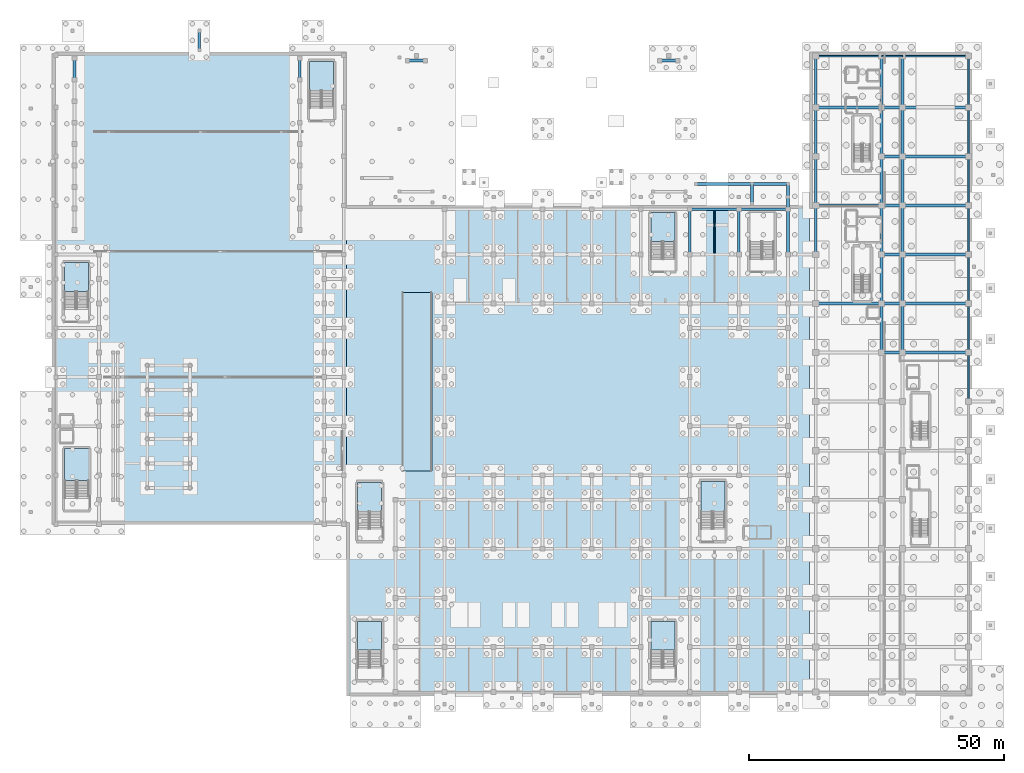
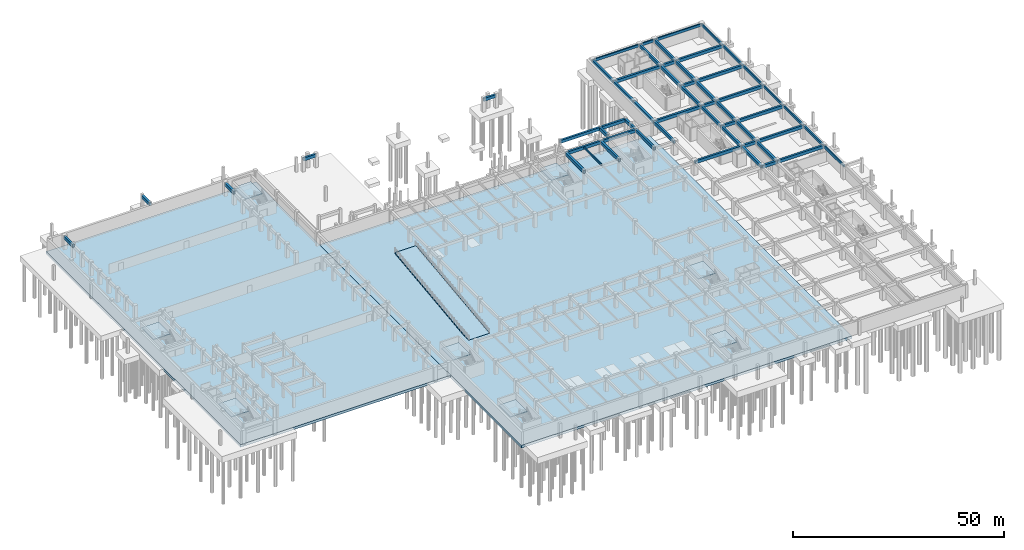
# One storey, part 14 of 39: 56 beams, 11 slabs, 8 elements without a shape of their own.
"""IFC4 building model written with IfcOpenShell, lengths in metres."""

import ifcopenshell
import ifcopenshell.guid

model = None  # the IFC model being written
_history = None  # IfcOwnerHistory: only IFC2X3 demands one
_inside = {}  # id of a spatial element -> (the spatial element, [elements in it])
_under = {}  # id of a project, library or spatial element -> (it, [spatial elements below it])
_declared = {}  # id of a project -> (the project, [libraries it declares])
_typed = {}  # id of a type object -> (the type object, [elements of that type])
_made_of = {}  # id of a material, layer set ... -> (it, [elements and type objects made of it])


def new_model(schema):
    """Start an empty IFC model of exactly this schema.

    Asked for "IFC4X3", IfcOpenShell would pick the latest addendum, in which some entities
    have other attributes; the version numbers below select the first issue.
    IFC2X3 requires an IfcOwnerHistory on every rooted entity: one is made here for all.
    """
    global model, _history
    if schema == "IFC4X3":
        model = ifcopenshell.file(schema_version=(4, 3, 0, 0))
    else:
        model = ifcopenshell.file(schema=schema)
    _inside.clear()
    _under.clear()
    _declared.clear()
    _typed.clear()
    _made_of.clear()
    _history = None
    if model.schema == "IFC2X3":
        org = make("IfcOrganization", Name="unknown")
        user = make(
            "IfcPersonAndOrganization",
            ThePerson=make("IfcPerson", FamilyName="unknown"),
            TheOrganization=org,
        )
        app = make(
            "IfcApplication",
            ApplicationDeveloper=org,
            Version="unknown",
            ApplicationFullName="unknown",
            ApplicationIdentifier="unknown",
        )
        _history = make(
            "IfcOwnerHistory",
            OwningUser=user,
            OwningApplication=app,
            ChangeAction="ADDED",
            CreationDate=0,
        )
    return model


def make(cls, **values):
    """One entity of the class cls with the attributes given. An attribute that is None is left unset."""
    return model.create_entity(
        cls, **{name: value for name, value in values.items() if value is not None}
    )


def rooted(cls, **values):
    """An entity with a GlobalId (a new one), such as an element, a storey or a relation."""
    return make(cls, GlobalId=ifcopenshell.guid.new(), OwnerHistory=_history, **values)


def si_unit(unit_type, name, prefix=None):
    """IfcSIUnit, for example si_unit("LENGTHUNIT", "METRE", prefix="MILLI")."""
    return make("IfcSIUnit", UnitType=unit_type, Prefix=prefix, Name=name)


def assignment(units):
    """IfcUnitAssignment: the units of a project."""
    return None if units is None else make("IfcUnitAssignment", Units=units)


def point(xyz):
    """IfcCartesianPoint."""
    return None if xyz is None else make("IfcCartesianPoint", Coordinates=xyz)


def direction(xyz):
    """IfcDirection."""
    return None if xyz is None else make("IfcDirection", DirectionRatios=xyz)


def frame(location, z_axis=None, x_axis=None):
    """IfcAxis2Placement3D, a coordinate frame: its origin and axes. An axis left out is left unset."""
    return make(
        "IfcAxis2Placement3D",
        Location=point(location),
        Axis=direction(z_axis),
        RefDirection=direction(x_axis),
    )


def frame_2d(location, x_axis=None):
    """IfcAxis2Placement2D, a coordinate frame in the plane: its origin and x axis."""
    return make(
        "IfcAxis2Placement2D", Location=point(location), RefDirection=direction(x_axis)
    )


def origin():
    """The frame at (0, 0, 0) with its axes left unset."""
    return frame((0.0, 0.0, 0.0))


def origin_2d():
    """The frame at (0, 0) in the plane with its x axis left unset."""
    return frame_2d((0.0, 0.0))


def place(relative_to, where):
    """IfcLocalPlacement: puts the frame where relative to a parent placement (None: the world)."""
    return make(
        "IfcLocalPlacement", PlacementRelTo=relative_to, RelativePlacement=where
    )


def context(
    kind, dimensions, precision=None, world=None, true_north=None, identifier=None
):
    """IfcGeometricRepresentationContext, for example the 3D "Model" context."""
    return make(
        "IfcGeometricRepresentationContext",
        ContextIdentifier=identifier,
        ContextType=kind,
        CoordinateSpaceDimension=dimensions,
        Precision=precision,
        WorldCoordinateSystem=world,
        TrueNorth=true_north,
    )


def subcontext(parent, identifier, kind, view, scale=None):
    """IfcGeometricRepresentationSubContext, for example "Body" below "Model"."""
    return make(
        "IfcGeometricRepresentationSubContext",
        ContextIdentifier=identifier,
        ContextType=kind,
        ParentContext=parent,
        TargetScale=scale,
        TargetView=view,
    )


def project(units=None, contexts=None):
    """IfcProject with its units and contexts."""
    return rooted(
        "IfcProject",
        Name="project",
        RepresentationContexts=contexts,
        UnitsInContext=assignment(units),
    )


def spatial(cls, under=None, at=None, **own):
    """A site, building, storey or space (cls), placed at a placement, below another one or the project."""
    s = rooted(cls, ObjectPlacement=at, **own)
    if under is not None:
        _under.setdefault(under.id(), (under, []))[1].append(s)
    return s


def polyline(points):
    """IfcPolyline through the points."""
    return make("IfcPolyline", Points=[point(p) for p in points])


def profile(cls, at=None, kind="AREA", **sizes):
    """A parametric profile (cls). Its sizes go by their IFC names, for example OverallWidth=200.0."""
    return make(cls, ProfileType=kind, Position=at, **sizes)


def rectangle(**sizes):
    """IfcRectangleProfileDef."""
    return profile("IfcRectangleProfileDef", **sizes)


def outline(outer, holes=None, kind="AREA"):
    """IfcArbitraryClosedProfileDef: a profile drawn as a closed curve; with holes, ...WithVoids."""
    if holes is None:
        return make("IfcArbitraryClosedProfileDef", ProfileType=kind, OuterCurve=outer)
    return make(
        "IfcArbitraryProfileDefWithVoids",
        ProfileType=kind,
        OuterCurve=outer,
        InnerCurves=holes,
    )


def extrude(swept, where, along, depth):
    """IfcExtrudedAreaSolid: the profile swept, set in the frame where, extruded along a direction by depth."""
    return make(
        "IfcExtrudedAreaSolid",
        SweptArea=swept,
        Position=where,
        ExtrudedDirection=direction(along),
        Depth=depth,
    )


def shape(context_of_items, identifier, shape_type, items):
    """IfcShapeRepresentation: the items that make up one representation, for example the "Body"."""
    return make(
        "IfcShapeRepresentation",
        ContextOfItems=context_of_items,
        RepresentationIdentifier=identifier,
        RepresentationType=shape_type,
        Items=items,
    )


def material(Name=None, Category=None):
    """IfcMaterial."""
    return make("IfcMaterial", Name=Name, Category=Category)


def layer(
    of_material, thickness, ventilated=None, Name=None, Category=None, Priority=None
):
    """IfcMaterialLayer: one layer of a wall or slab, of a material (None: an air gap)."""
    return make(
        "IfcMaterialLayer",
        Material=of_material,
        LayerThickness=thickness,
        IsVentilated=ventilated,
        Name=Name,
        Category=Category,
        Priority=Priority,
    )


def layer_set(layers, Name=None):
    """IfcMaterialLayerSet."""
    return make("IfcMaterialLayerSet", MaterialLayers=layers, LayerSetName=Name)


def material_profile(
    of_material, cross_section, Name=None, Category=None, Priority=None
):
    """IfcMaterialProfile: a cross section and its material."""
    return make(
        "IfcMaterialProfile",
        Name=Name,
        Material=of_material,
        Profile=cross_section,
        Priority=Priority,
        Category=Category,
    )


def profile_set(profiles, Name=None, composite=None):
    """IfcMaterialProfileSet."""
    return make(
        "IfcMaterialProfileSet",
        Name=Name,
        MaterialProfiles=profiles,
        CompositeProfile=composite,
    )


def made_of(thing, what):
    """Note that an element or type object is made of a material, layer set ...; save() writes the relation."""
    if what is not None:
        _made_of.setdefault(what.id(), (what, []))[1].append(thing)
    return thing


def type_object(cls, material=None, **own):
    """A type object (cls), such as IfcWallType, which elements share."""
    return made_of(rooted(cls, **own), material)


def element(
    cls,
    number,
    at=None,
    inside=None,
    cuts=None,
    type_object=None,
    material=None,
    context=None,
    identifier="Body",
    shape_type=None,
    held_by="IfcProductDefinitionShape",
    body=None,
    shapes=None,
    **own,
):
    """One element of the class cls, such as IfcWall. Its Tag is "e" and its number.

    at: its placement. inside: the storey or other place that contains it. cuts: it is an
    opening in that element (IfcRelVoidsElement). A single representation is given by context,
    identifier, shape_type and body (its items); several are given by shapes. held_by: the class
    of the entity that holds the representations. save() writes the other relations.
    """
    e = rooted(cls, Tag="e%d" % number, ObjectPlacement=at, **own)
    if body is not None:
        shapes = [shape(context, identifier, shape_type, body)]
    if shapes is not None:
        e.Representation = make(held_by, Representations=shapes)
    if inside is not None:
        _inside.setdefault(inside.id(), (inside, []))[1].append(e)
    if cuts is not None:
        rooted(
            "IfcRelVoidsElement", RelatingBuildingElement=cuts, RelatedOpeningElement=e
        )
    if type_object is not None:
        _typed.setdefault(type_object.id(), (type_object, []))[1].append(e)
    return made_of(e, material)


def aggregate(whole, parts):
    """IfcRelAggregates: a whole, such as a stair, and the parts it consists of."""
    return rooted("IfcRelAggregates", RelatingObject=whole, RelatedObjects=parts)


def save(model, path):
    """Write the relations noted so far, then the file.

    IfcRelAggregates (storeys below a building ...), IfcRelContainedInSpatialStructure (elements
    in a storey), IfcRelDefinesByType, IfcRelAssociatesMaterial and IfcRelDeclares: one each for
    every whole, place, type object, material and project.
    """
    for whole, parts in _under.values():
        aggregate(whole, parts)
    for where, things in _inside.values():
        rooted(
            "IfcRelContainedInSpatialStructure",
            RelatedElements=things,
            RelatingStructure=where,
        )
    for kind, things in _typed.values():
        rooted("IfcRelDefinesByType", RelatedObjects=things, RelatingType=kind)
    for what, things in _made_of.values():
        rooted("IfcRelAssociatesMaterial", RelatedObjects=things, RelatingMaterial=what)
    for by, libraries in _declared.values():
        rooted("IfcRelDeclares", RelatingContext=by, RelatedDefinitions=libraries)
    model.write(path)


model = new_model("IFC4")

# Units and contexts
model_context = context("Model", 3, precision=1e-05, world=origin(), true_north=direction((0.0, 1.0)))
body_context = subcontext(model_context, "Body", "Model", "MODEL_VIEW")
ifc_project = project(units=[si_unit("LENGTHUNIT", "METRE"), si_unit("AREAUNIT", "SQUARE_METRE"), si_unit("VOLUMEUNIT", "CUBIC_METRE"), si_unit("PLANEANGLEUNIT", "RADIAN"), si_unit("MASSUNIT", "GRAM", prefix="KILO")], contexts=[model_context])

# Site, building, storey
site_placement = place(None, origin())
site = spatial("IfcSite", under=ifc_project, at=site_placement, CompositionType="ELEMENT")
building_placement = place(site_placement, origin())
building = spatial("IfcBuilding", under=site, at=building_placement, Name="Nakhvara Creek Congress Hotel", CompositionType="ELEMENT")
storey_placement = place(building_placement, frame((0.0, 0.0, -8.39990234375)))
storey = spatial("IfcBuildingStorey", under=building, at=storey_placement, Name="B2", CompositionType="ELEMENT", Elevation=-8.39990234375)

# Beams
ifc_material_1 = material(Name="Concrete C40/50", Category="concrete")
ifc_material_profile_1 = material_profile(ifc_material_1, rectangle(XDim=0.300048828125, YDim=0.5, at=origin_2d()), Name="RC-BM 300x500", Category="LoadBearing")
ifc_profile_set_1 = profile_set([ifc_material_profile_1], Name="Concrete C40/50")
beam_type_1 = type_object("IfcBeamType", Name="BM-JST-300X500", PredefinedType="JOIST", material=ifc_profile_set_1)
beam_1_placement = place(storey_placement, frame((129.60009765625, 86.675048828125, 3.60986328125), z_axis=(0.0, 1.0, 0.0), x_axis=(-1.0, 0.0, 0.0)))
element("IfcBeam", 1, at=beam_1_placement, inside=storey, type_object=beam_type_1, Name="Secondary Joist BJ1-B2-0360", PredefinedType="JOIST", context=body_context, shape_type="SweptSolid", body=[
    extrude(rectangle(XDim=0.300048828125, YDim=0.5, at=origin_2d()), origin(), (0.0, 0.0, 1.0), 8.300048828125),
])
ifc_material_2 = material(Name="Concrete C50/60", Category="concrete")
ifc_material_profile_2 = material_profile(ifc_material_2, rectangle(XDim=0.550048828125, YDim=0.8798828125, at=origin_2d()), Name="RC-BM 550x880", Category="LoadBearing")
ifc_profile_set_2 = profile_set([ifc_material_profile_2], Name="Concrete C50/60")
beam_type_2 = type_object("IfcBeamType", Name="BM-RC-550X880", PredefinedType="BEAM", material=ifc_profile_set_2)
for number, where, z_axis, x_axis, name in (
    (2, (4.35009765625, 120.60009765625, 3.419921875), (0.0, 1.0, 0.0), (-1.0, 0.0, 0.0), "Beam B15-B2-0091"),
    (3, (48.449951171875, 120.60009765625, 3.419921875), (0.0, 1.0, 0.0), (-1.0, 0.0, 0.0), "Beam B15-B2-0092"),
):
    element("IfcBeam", number, at=place(storey_placement, frame(where, z_axis=z_axis, x_axis=x_axis)), inside=storey, type_object=beam_type_2, Name=name, PredefinedType="BEAM", context=body_context, shape_type="SweptSolid", body=[
        extrude(rectangle(XDim=0.550048828125, YDim=0.8798828125, at=origin_2d()), origin(), (0.0, 0.0, 1.0), 4.199951171875),
    ])
beam_2_placement = place(storey_placement, frame((124.800048828125, 86.39990234375, 3.419921875), z_axis=(0.0, 1.0, 0.0), x_axis=(-1.0, 0.0, 0.0)))
element("IfcBeam", 4, at=beam_2_placement, inside=storey, type_object=beam_type_2, Name="Beam B15-B2-0196", PredefinedType="BEAM", context=body_context, shape_type="SweptSolid", body=[
    extrude(rectangle(XDim=0.550048828125, YDim=0.8798828125, at=origin_2d()), origin(), (0.0, 0.0, 1.0), 8.85009765625),
])
beam_3_placement = place(storey_placement, frame((124.800048828125, 95.25, 3.419921875), z_axis=(1.0, 0.0, 0.0), x_axis=(0.0, 1.0, 0.0)))
element("IfcBeam", 5, at=beam_3_placement, inside=storey, type_object=beam_type_2, Name="Beam B15-B2-0198", PredefinedType="BEAM", context=body_context, shape_type="SweptSolid", body=[
    extrude(rectangle(XDim=0.550048828125, YDim=0.8798828125, at=origin_2d()), origin(), (0.0, 0.0, 1.0), 9.599853515625),
])
beam_4_placement = place(storey_placement, frame((134.39990234375, 86.39990234375, 3.419921875), z_axis=(0.0, 1.0, 0.0), x_axis=(-1.0, 0.0, 0.0)))
element("IfcBeam", 6, at=beam_4_placement, inside=storey, type_object=beam_type_2, Name="Beam B15-B2-0213", PredefinedType="BEAM", context=body_context, shape_type="SweptSolid", body=[
    extrude(rectangle(XDim=0.550048828125, YDim=0.8798828125, at=origin_2d()), origin(), (0.0, 0.0, 1.0), 8.85009765625),
])
beam_5_placement = place(storey_placement, frame((134.39990234375, 95.25, 3.419921875), z_axis=(1.0, 0.0, 0.0), x_axis=(0.0, 1.0, 0.0)))
element("IfcBeam", 7, at=beam_5_placement, inside=storey, type_object=beam_type_2, Name="Beam B15-B2-0214", PredefinedType="BEAM", context=body_context, shape_type="SweptSolid", body=[
    extrude(rectangle(XDim=0.550048828125, YDim=0.8798828125, at=origin_2d()), origin(), (0.0, 0.0, 1.0), 9.60009765625),
])
beam_6_placement = place(storey_placement, frame((144.0, 86.39990234375, 3.419921875), z_axis=(0.0, 1.0, 0.0), x_axis=(-1.0, 0.0, 0.0)))
element("IfcBeam", 8, at=beam_6_placement, inside=storey, type_object=beam_type_2, Name="Beam B15-B2-0231", PredefinedType="BEAM", context=body_context, shape_type="SweptSolid", body=[
    extrude(rectangle(XDim=0.550048828125, YDim=0.8798828125, at=origin_2d()), origin(), (0.0, 0.0, 1.0), 8.85009765625),
])
beam_7_placement = place(storey_placement, frame((144.0, 95.25, 3.419921875), z_axis=(0.0, 1.0, 0.0), x_axis=(-1.0, 0.0, 0.0)))
element("IfcBeam", 9, at=beam_7_placement, inside=storey, type_object=beam_type_2, Name="Beam B15-B2-0233", PredefinedType="BEAM", context=body_context, shape_type="SweptSolid", body=[
    extrude(rectangle(XDim=0.550048828125, YDim=0.8798828125, at=origin_2d()), origin(), (0.0, 0.0, 1.0), 4.949951171875),
])
beam_8_placement = place(storey_placement, frame((149.449951171875, 76.800048828125, 3.419921875), z_axis=(1.0, 0.0, 0.0), x_axis=(0.0, 1.0, 0.0)))
element("IfcBeam", 10, at=beam_8_placement, inside=storey, type_object=beam_type_2, Name="Beam B15-B2-0251", PredefinedType="BEAM", context=body_context, shape_type="SweptSolid", body=[
    extrude(rectangle(XDim=0.550048828125, YDim=0.8798828125, at=origin_2d()), origin(), (0.0, 0.0, 1.0), 12.900146484375),
])
for number, where, z_axis, x_axis, name in (
    (11, (149.449951171875, 86.39990234375, 3.419921875), (0.0, 1.0, 0.0), (-1.0, 0.0, 0.0), "Beam B15-B2-0252"),
    (12, (149.449951171875, 96.0, 3.419921875), (0.0, 1.0, 0.0), (-1.0, 0.0, 0.0), "Beam B15-B2-0253"),
):
    element("IfcBeam", number, at=place(storey_placement, frame(where, z_axis=z_axis, x_axis=x_axis)), inside=storey, type_object=beam_type_2, Name=name, PredefinedType="BEAM", context=body_context, shape_type="SweptSolid", body=[
        extrude(rectangle(XDim=0.550048828125, YDim=0.8798828125, at=origin_2d()), origin(), (0.0, 0.0, 1.0), 9.60009765625),
    ])
beam_9_placement = place(storey_placement, frame((149.449951171875, 96.0, 3.419921875), z_axis=(1.0, 0.0, 0.0), x_axis=(0.0, 1.0, 0.0)))
element("IfcBeam", 13, at=beam_9_placement, inside=storey, type_object=beam_type_2, Name="Beam B15-B2-0254", PredefinedType="BEAM", context=body_context, shape_type="SweptSolid", body=[
    extrude(rectangle(XDim=0.550048828125, YDim=0.8798828125, at=origin_2d()), origin(), (0.0, 0.0, 1.0), 12.900146484375),
])
beam_10_placement = place(storey_placement, frame((149.449951171875, 105.60009765625, 3.419921875), z_axis=(0.0, 1.0, 0.0), x_axis=(-1.0, 0.0, 0.0)))
element("IfcBeam", 14, at=beam_10_placement, inside=storey, type_object=beam_type_2, Name="Beam B15-B2-0255", PredefinedType="BEAM", context=body_context, shape_type="SweptSolid", body=[
    extrude(rectangle(XDim=0.550048828125, YDim=0.8798828125, at=origin_2d()), origin(), (0.0, 0.0, 1.0), 9.599853515625),
])
beam_11_placement = place(storey_placement, frame((149.449951171875, 115.199951171875, 3.419921875), z_axis=(0.0, 1.0, 0.0), x_axis=(-1.0, 0.0, 0.0)))
element("IfcBeam", 15, at=beam_11_placement, inside=storey, type_object=beam_type_2, Name="Beam B15-B2-0256", PredefinedType="BEAM", context=body_context, shape_type="SweptSolid", body=[
    extrude(rectangle(XDim=0.550048828125, YDim=0.8798828125, at=origin_2d()), origin(), (0.0, 0.0, 1.0), 10.050048828125),
])
beam_12_placement = place(storey_placement, frame((149.449951171875, 115.199951171875, 3.419921875), z_axis=(1.0, 0.0, 0.0), x_axis=(0.0, 1.0, 0.0)))
element("IfcBeam", 16, at=beam_12_placement, inside=storey, type_object=beam_type_2, Name="Beam B15-B2-0257", PredefinedType="BEAM", context=body_context, shape_type="SweptSolid", body=[
    extrude(rectangle(XDim=0.550048828125, YDim=0.8798828125, at=origin_2d()), origin(), (0.0, 0.0, 1.0), 12.900146484375),
])
beam_13_placement = place(storey_placement, frame((162.35009765625, 67.199951171875, 3.419921875), z_axis=(0.0, 1.0, 0.0), x_axis=(-1.0, 0.0, 0.0)))
element("IfcBeam", 17, at=beam_13_placement, inside=storey, type_object=beam_type_2, Name="Beam B15-B2-0273", PredefinedType="BEAM", context=body_context, shape_type="SweptSolid", body=[
    extrude(rectangle(XDim=0.550048828125, YDim=0.8798828125, at=origin_2d()), origin(), (0.0, 0.0, 1.0), 9.60009765625),
])
beam_14_placement = place(storey_placement, frame((162.35009765625, 67.199951171875, 3.419921875), z_axis=(1.0, 0.0, 0.0), x_axis=(0.0, 1.0, 0.0)))
element("IfcBeam", 18, at=beam_14_placement, inside=storey, type_object=beam_type_2, Name="Beam B15-B2-0274", PredefinedType="BEAM", context=body_context, shape_type="SweptSolid", body=[
    extrude(rectangle(XDim=0.550048828125, YDim=0.8798828125, at=origin_2d()), origin(), (0.0, 0.0, 1.0), 4.099853515625),
])
beam_15_placement = place(storey_placement, frame((162.35009765625, 76.800048828125, 3.419921875), z_axis=(0.0, 1.0, 0.0), x_axis=(-1.0, 0.0, 0.0)))
element("IfcBeam", 19, at=beam_15_placement, inside=storey, type_object=beam_type_2, Name="Beam B15-B2-0275", PredefinedType="BEAM", context=body_context, shape_type="SweptSolid", body=[
    extrude(rectangle(XDim=0.550048828125, YDim=0.8798828125, at=origin_2d()), origin(), (0.0, 0.0, 1.0), 9.599853515625),
])
beam_16_placement = place(storey_placement, frame((162.35009765625, 76.800048828125, 3.419921875), z_axis=(1.0, 0.0, 0.0), x_axis=(0.0, 1.0, 0.0)))
element("IfcBeam", 20, at=beam_16_placement, inside=storey, type_object=beam_type_2, Name="Beam B15-B2-0276", PredefinedType="BEAM", context=body_context, shape_type="SweptSolid", body=[
    extrude(rectangle(XDim=0.550048828125, YDim=0.8798828125, at=origin_2d()), origin(), (0.0, 0.0, 1.0), 4.099853515625),
])
beam_17_placement = place(storey_placement, frame((162.35009765625, 86.39990234375, 3.419921875), z_axis=(0.0, 1.0, 0.0), x_axis=(-1.0, 0.0, 0.0)))
element("IfcBeam", 21, at=beam_17_placement, inside=storey, type_object=beam_type_2, Name="Beam B15-B2-0277", PredefinedType="BEAM", context=body_context, shape_type="SweptSolid", body=[
    extrude(rectangle(XDim=0.550048828125, YDim=0.8798828125, at=origin_2d()), origin(), (0.0, 0.0, 1.0), 9.60009765625),
])
beam_18_placement = place(storey_placement, frame((162.35009765625, 86.39990234375, 3.419921875), z_axis=(1.0, 0.0, 0.0), x_axis=(0.0, 1.0, 0.0)))
element("IfcBeam", 22, at=beam_18_placement, inside=storey, type_object=beam_type_2, Name="Beam B15-B2-0278", PredefinedType="BEAM", context=body_context, shape_type="SweptSolid", body=[
    extrude(rectangle(XDim=0.550048828125, YDim=0.8798828125, at=origin_2d()), origin(), (0.0, 0.0, 1.0), 4.099853515625),
])
beam_19_placement = place(storey_placement, frame((162.35009765625, 96.0, 3.419921875), z_axis=(0.0, 1.0, 0.0), x_axis=(-1.0, 0.0, 0.0)))
element("IfcBeam", 23, at=beam_19_placement, inside=storey, type_object=beam_type_2, Name="Beam B15-B2-0279", PredefinedType="BEAM", context=body_context, shape_type="SweptSolid", body=[
    extrude(rectangle(XDim=0.550048828125, YDim=0.8798828125, at=origin_2d()), origin(), (0.0, 0.0, 1.0), 9.60009765625),
])
beam_20_placement = place(storey_placement, frame((162.35009765625, 96.0, 3.419921875), z_axis=(1.0, 0.0, 0.0), x_axis=(0.0, 1.0, 0.0)))
element("IfcBeam", 24, at=beam_20_placement, inside=storey, type_object=beam_type_2, Name="Beam B15-B2-0280", PredefinedType="BEAM", context=body_context, shape_type="SweptSolid", body=[
    extrude(rectangle(XDim=0.550048828125, YDim=0.8798828125, at=origin_2d()), origin(), (0.0, 0.0, 1.0), 4.099853515625),
])
beam_21_placement = place(storey_placement, frame((162.35009765625, 105.60009765625, 3.419921875), z_axis=(0.0, 1.0, 0.0), x_axis=(-1.0, 0.0, 0.0)))
element("IfcBeam", 25, at=beam_21_placement, inside=storey, type_object=beam_type_2, Name="Beam B15-B2-0281", PredefinedType="BEAM", context=body_context, shape_type="SweptSolid", body=[
    extrude(rectangle(XDim=0.550048828125, YDim=0.8798828125, at=origin_2d()), origin(), (0.0, 0.0, 1.0), 9.599853515625),
])
beam_22_placement = place(storey_placement, frame((162.35009765625, 105.60009765625, 3.419921875), z_axis=(1.0, 0.0, 0.0), x_axis=(0.0, 1.0, 0.0)))
element("IfcBeam", 26, at=beam_22_placement, inside=storey, type_object=beam_type_2, Name="Beam B15-B2-0282", PredefinedType="BEAM", context=body_context, shape_type="SweptSolid", body=[
    extrude(rectangle(XDim=0.550048828125, YDim=0.8798828125, at=origin_2d()), origin(), (0.0, 0.0, 1.0), 4.099853515625),
])
beam_23_placement = place(storey_placement, frame((162.35009765625, 115.199951171875, 3.419921875), z_axis=(0.0, 1.0, 0.0), x_axis=(-1.0, 0.0, 0.0)))
element("IfcBeam", 27, at=beam_23_placement, inside=storey, type_object=beam_type_2, Name="Beam B15-B2-0283", PredefinedType="BEAM", context=body_context, shape_type="SweptSolid", body=[
    extrude(rectangle(XDim=0.550048828125, YDim=0.8798828125, at=origin_2d()), origin(), (0.0, 0.0, 1.0), 10.050048828125),
])
beam_24_placement = place(storey_placement, frame((162.35009765625, 115.199951171875, 3.419921875), z_axis=(1.0, 0.0, 0.0), x_axis=(0.0, 1.0, 0.0)))
element("IfcBeam", 28, at=beam_24_placement, inside=storey, type_object=beam_type_2, Name="Beam B15-B2-0284", PredefinedType="BEAM", context=body_context, shape_type="SweptSolid", body=[
    extrude(rectangle(XDim=0.550048828125, YDim=0.8798828125, at=origin_2d()), origin(), (0.0, 0.0, 1.0), 4.099853515625),
])
beam_25_placement = place(storey_placement, frame((166.449951171875, 67.199951171875, 3.419921875), z_axis=(0.0, 1.0, 0.0), x_axis=(-1.0, 0.0, 0.0)))
element("IfcBeam", 29, at=beam_25_placement, inside=storey, type_object=beam_type_2, Name="Beam B15-B2-0298", PredefinedType="BEAM", context=body_context, shape_type="SweptSolid", body=[
    extrude(rectangle(XDim=0.550048828125, YDim=0.8798828125, at=origin_2d()), origin(), (0.0, 0.0, 1.0), 9.60009765625),
])
beam_26_placement = place(storey_placement, frame((166.449951171875, 67.199951171875, 3.419921875), z_axis=(1.0, 0.0, 0.0), x_axis=(0.0, 1.0, 0.0)))
element("IfcBeam", 30, at=beam_26_placement, inside=storey, type_object=beam_type_2, Name="Beam B15-B2-0299", PredefinedType="BEAM", context=body_context, shape_type="SweptSolid", body=[
    extrude(rectangle(XDim=0.550048828125, YDim=0.8798828125, at=origin_2d()), origin(), (0.0, 0.0, 1.0), 12.900146484375),
])
beam_27_placement = place(storey_placement, frame((166.449951171875, 76.800048828125, 3.419921875), z_axis=(0.0, 1.0, 0.0), x_axis=(-1.0, 0.0, 0.0)))
element("IfcBeam", 31, at=beam_27_placement, inside=storey, type_object=beam_type_2, Name="Beam B15-B2-0300", PredefinedType="BEAM", context=body_context, shape_type="SweptSolid", body=[
    extrude(rectangle(XDim=0.550048828125, YDim=0.8798828125, at=origin_2d()), origin(), (0.0, 0.0, 1.0), 9.599853515625),
])
beam_28_placement = place(storey_placement, frame((166.449951171875, 76.800048828125, 3.419921875), z_axis=(1.0, 0.0, 0.0), x_axis=(0.0, 1.0, 0.0)))
element("IfcBeam", 32, at=beam_28_placement, inside=storey, type_object=beam_type_2, Name="Beam B15-B2-0301", PredefinedType="BEAM", context=body_context, shape_type="SweptSolid", body=[
    extrude(rectangle(XDim=0.550048828125, YDim=0.8798828125, at=origin_2d()), origin(), (0.0, 0.0, 1.0), 12.900146484375),
])
beam_29_placement = place(storey_placement, frame((166.449951171875, 86.39990234375, 3.419921875), z_axis=(0.0, 1.0, 0.0), x_axis=(-1.0, 0.0, 0.0)))
element("IfcBeam", 33, at=beam_29_placement, inside=storey, type_object=beam_type_2, Name="Beam B15-B2-0302", PredefinedType="BEAM", context=body_context, shape_type="SweptSolid", body=[
    extrude(rectangle(XDim=0.550048828125, YDim=0.8798828125, at=origin_2d()), origin(), (0.0, 0.0, 1.0), 9.60009765625),
])
beam_30_placement = place(storey_placement, frame((166.449951171875, 86.39990234375, 3.419921875), z_axis=(1.0, 0.0, 0.0), x_axis=(0.0, 1.0, 0.0)))
element("IfcBeam", 34, at=beam_30_placement, inside=storey, type_object=beam_type_2, Name="Beam B15-B2-0303", PredefinedType="BEAM", context=body_context, shape_type="SweptSolid", body=[
    extrude(rectangle(XDim=0.550048828125, YDim=0.8798828125, at=origin_2d()), origin(), (0.0, 0.0, 1.0), 12.900146484375),
])
beam_31_placement = place(storey_placement, frame((166.449951171875, 96.0, 3.419921875), z_axis=(0.0, 1.0, 0.0), x_axis=(-1.0, 0.0, 0.0)))
element("IfcBeam", 35, at=beam_31_placement, inside=storey, type_object=beam_type_2, Name="Beam B15-B2-0304", PredefinedType="BEAM", context=body_context, shape_type="SweptSolid", body=[
    extrude(rectangle(XDim=0.550048828125, YDim=0.8798828125, at=origin_2d()), origin(), (0.0, 0.0, 1.0), 9.60009765625),
])
beam_32_placement = place(storey_placement, frame((166.449951171875, 96.0, 3.419921875), z_axis=(1.0, 0.0, 0.0), x_axis=(0.0, 1.0, 0.0)))
element("IfcBeam", 36, at=beam_32_placement, inside=storey, type_object=beam_type_2, Name="Beam B15-B2-0305", PredefinedType="BEAM", context=body_context, shape_type="SweptSolid", body=[
    extrude(rectangle(XDim=0.550048828125, YDim=0.8798828125, at=origin_2d()), origin(), (0.0, 0.0, 1.0), 12.900146484375),
])
beam_33_placement = place(storey_placement, frame((166.449951171875, 105.60009765625, 3.419921875), z_axis=(0.0, 1.0, 0.0), x_axis=(-1.0, 0.0, 0.0)))
element("IfcBeam", 37, at=beam_33_placement, inside=storey, type_object=beam_type_2, Name="Beam B15-B2-0306", PredefinedType="BEAM", context=body_context, shape_type="SweptSolid", body=[
    extrude(rectangle(XDim=0.550048828125, YDim=0.8798828125, at=origin_2d()), origin(), (0.0, 0.0, 1.0), 9.599853515625),
])
beam_34_placement = place(storey_placement, frame((166.449951171875, 105.60009765625, 3.419921875), z_axis=(1.0, 0.0, 0.0), x_axis=(0.0, 1.0, 0.0)))
element("IfcBeam", 38, at=beam_34_placement, inside=storey, type_object=beam_type_2, Name="Beam B15-B2-0307", PredefinedType="BEAM", context=body_context, shape_type="SweptSolid", body=[
    extrude(rectangle(XDim=0.550048828125, YDim=0.8798828125, at=origin_2d()), origin(), (0.0, 0.0, 1.0), 12.900146484375),
])
beam_35_placement = place(storey_placement, frame((166.449951171875, 115.199951171875, 3.419921875), z_axis=(0.0, 1.0, 0.0), x_axis=(-1.0, 0.0, 0.0)))
element("IfcBeam", 39, at=beam_35_placement, inside=storey, type_object=beam_type_2, Name="Beam B15-B2-0308", PredefinedType="BEAM", context=body_context, shape_type="SweptSolid", body=[
    extrude(rectangle(XDim=0.550048828125, YDim=0.8798828125, at=origin_2d()), origin(), (0.0, 0.0, 1.0), 10.050048828125),
])
beam_36_placement = place(storey_placement, frame((166.449951171875, 115.199951171875, 3.419921875), z_axis=(1.0, 0.0, 0.0), x_axis=(0.0, 1.0, 0.0)))
element("IfcBeam", 40, at=beam_36_placement, inside=storey, type_object=beam_type_2, Name="Beam B15-B2-0309", PredefinedType="BEAM", context=body_context, shape_type="SweptSolid", body=[
    extrude(rectangle(XDim=0.550048828125, YDim=0.8798828125, at=origin_2d()), origin(), (0.0, 0.0, 1.0), 12.900146484375),
])
for number, where, z_axis, x_axis, name in (
    (41, (69.550048828125, 124.35009765625, 3.419921875), (1.0, 0.0, 0.0), (0.0, 1.0, 0.0), "Beam B15-B2-0327"),
    (42, (118.949951171875, 124.35009765625, 3.419921875), (1.0, 0.0, 0.0), (0.0, 1.0, 0.0), "Beam B15-B2-0328"),
):
    element("IfcBeam", number, at=place(storey_placement, frame(where, z_axis=z_axis, x_axis=x_axis)), inside=storey, type_object=beam_type_2, Name=name, PredefinedType="BEAM", context=body_context, shape_type="SweptSolid", body=[
        extrude(rectangle(XDim=0.550048828125, YDim=0.8798828125, at=origin_2d()), origin(), (0.0, 0.0, 1.0), 3.5),
    ])
beam_37_placement = place(storey_placement, frame((28.800048828125, 126.39990234375, 3.419921875), z_axis=(0.0, 1.0, 0.0), x_axis=(-1.0, 0.0, 0.0)))
element("IfcBeam", 43, at=beam_37_placement, inside=storey, type_object=beam_type_2, Name="Beam B15-B2-0329", PredefinedType="BEAM", context=body_context, shape_type="SweptSolid", body=[
    extrude(rectangle(XDim=0.550048828125, YDim=0.8798828125, at=origin_2d()), origin(), (0.0, 0.0, 1.0), 3.800048828125),
])
beam_38_placement = place(storey_placement, frame((126.0, 100.199951171875, 3.419921875), z_axis=(1.0, 0.0, 0.0), x_axis=(0.0, 1.0, 0.0)))
element("IfcBeam", 44, at=beam_38_placement, inside=storey, type_object=beam_type_2, Name="Beam B15-B2-0331", PredefinedType="BEAM", context=body_context, shape_type="SweptSolid", body=[
    extrude(rectangle(XDim=0.550048828125, YDim=0.8798828125, at=origin_2d()), origin(), (0.0, 0.0, 1.0), 11.0),
])
beam_39_placement = place(storey_placement, frame((137.0, 100.199951171875, 3.419921875), z_axis=(1.0, 0.0, 0.0), x_axis=(0.0, 1.0, 0.0)))
element("IfcBeam", 45, at=beam_39_placement, inside=storey, type_object=beam_type_2, Name="Beam B15-B2-0332", PredefinedType="BEAM", context=body_context, shape_type="SweptSolid", body=[
    extrude(rectangle(XDim=0.550048828125, YDim=0.8798828125, at=origin_2d()), origin(), (0.0, 0.0, 1.0), 7.0),
])
beam_40_placement = place(storey_placement, frame((137.0, 96.39990234375, 3.419921875), z_axis=(0.0, 1.0, 0.0), x_axis=(-1.0, 0.0, 0.0)))
element("IfcBeam", 46, at=beam_40_placement, inside=storey, type_object=beam_type_2, Name="Beam B15-B2-0333", PredefinedType="BEAM", context=body_context, shape_type="SweptSolid", body=[
    extrude(rectangle(XDim=0.550048828125, YDim=0.8798828125, at=origin_2d()), origin(), (0.0, 0.0, 1.0), 3.800048828125),
])
ifc_material_profile_3 = material_profile(ifc_material_1, rectangle(XDim=0.35009765625, YDim=0.75, at=origin_2d()), Name="RC-SPANDREL 350x750", Category="LoadBearing")
ifc_profile_set_3 = profile_set([ifc_material_profile_3], Name="Concrete C40/50")
beam_type_3 = type_object("IfcBeamType", Name="BM-SPN-350X750", PredefinedType="SPANDREL", material=ifc_profile_set_3)
beam_41_placement = place(storey_placement, frame((149.449951171875, 125.25, 3.48486328125), z_axis=(1.0, 0.0, 0.0), x_axis=(0.0, 1.0, 0.0)))
element("IfcBeam", 47, at=beam_41_placement, inside=storey, type_object=beam_type_3, Name="Beam SP1-B2-0258", PredefinedType="SPANDREL", context=body_context, shape_type="SweptSolid", body=[
    extrude(rectangle(XDim=0.35009765625, YDim=0.75, at=origin_2d()), origin(), (0.0, 0.0, 1.0), 12.900146484375),
])
beam_42_placement = place(storey_placement, frame((162.35009765625, 125.25, 3.48486328125), z_axis=(1.0, 0.0, 0.0), x_axis=(0.0, 1.0, 0.0)))
element("IfcBeam", 48, at=beam_42_placement, inside=storey, type_object=beam_type_3, Name="Beam SP1-B2-0285", PredefinedType="SPANDREL", context=body_context, shape_type="SweptSolid", body=[
    extrude(rectangle(XDim=0.35009765625, YDim=0.75, at=origin_2d()), origin(), (0.0, 0.0, 1.0), 4.099853515625),
])
beam_43_placement = place(storey_placement, frame((166.449951171875, 125.25, 3.48486328125), z_axis=(1.0, 0.0, 0.0), x_axis=(0.0, 1.0, 0.0)))
element("IfcBeam", 49, at=beam_43_placement, inside=storey, type_object=beam_type_3, Name="Beam SP1-B2-0310", PredefinedType="SPANDREL", context=body_context, shape_type="SweptSolid", body=[
    extrude(rectangle(XDim=0.35009765625, YDim=0.75, at=origin_2d()), origin(), (0.0, 0.0, 1.0), 12.900146484375),
])
beam_44_placement = place(storey_placement, frame((179.35009765625, 57.60009765625, 3.48486328125), z_axis=(0.0, 1.0, 0.0), x_axis=(-1.0, 0.0, 0.0)))
element("IfcBeam", 50, at=beam_44_placement, inside=storey, type_object=beam_type_3, Name="Beam SP1-B2-0317", PredefinedType="SPANDREL", context=body_context, shape_type="SweptSolid", body=[
    extrude(rectangle(XDim=0.35009765625, YDim=0.75, at=origin_2d()), origin(), (0.0, 0.0, 1.0), 9.599853515625),
])
beam_45_placement = place(storey_placement, frame((179.35009765625, 67.199951171875, 3.48486328125), z_axis=(0.0, 1.0, 0.0), x_axis=(-1.0, 0.0, 0.0)))
element("IfcBeam", 51, at=beam_45_placement, inside=storey, type_object=beam_type_3, Name="Beam SP1-B2-0319", PredefinedType="SPANDREL", context=body_context, shape_type="SweptSolid", body=[
    extrude(rectangle(XDim=0.35009765625, YDim=0.75, at=origin_2d()), origin(), (0.0, 0.0, 1.0), 9.60009765625),
])
beam_46_placement = place(storey_placement, frame((179.35009765625, 76.800048828125, 3.48486328125), z_axis=(0.0, 1.0, 0.0), x_axis=(-1.0, 0.0, 0.0)))
element("IfcBeam", 52, at=beam_46_placement, inside=storey, type_object=beam_type_3, Name="Beam SP1-B2-0320", PredefinedType="SPANDREL", context=body_context, shape_type="SweptSolid", body=[
    extrude(rectangle(XDim=0.35009765625, YDim=0.75, at=origin_2d()), origin(), (0.0, 0.0, 1.0), 9.599853515625),
])
for number, where, z_axis, x_axis, name in (
    (53, (179.35009765625, 86.39990234375, 3.48486328125), (0.0, 1.0, 0.0), (-1.0, 0.0, 0.0), "Beam SP1-B2-0321"),
    (54, (179.35009765625, 96.0, 3.48486328125), (0.0, 1.0, 0.0), (-1.0, 0.0, 0.0), "Beam SP1-B2-0322"),
):
    element("IfcBeam", number, at=place(storey_placement, frame(where, z_axis=z_axis, x_axis=x_axis)), inside=storey, type_object=beam_type_3, Name=name, PredefinedType="SPANDREL", context=body_context, shape_type="SweptSolid", body=[
        extrude(rectangle(XDim=0.35009765625, YDim=0.75, at=origin_2d()), origin(), (0.0, 0.0, 1.0), 9.60009765625),
    ])
beam_47_placement = place(storey_placement, frame((179.35009765625, 105.60009765625, 3.48486328125), z_axis=(0.0, 1.0, 0.0), x_axis=(-1.0, 0.0, 0.0)))
element("IfcBeam", 55, at=beam_47_placement, inside=storey, type_object=beam_type_3, Name="Beam SP1-B2-0323", PredefinedType="SPANDREL", context=body_context, shape_type="SweptSolid", body=[
    extrude(rectangle(XDim=0.35009765625, YDim=0.75, at=origin_2d()), origin(), (0.0, 0.0, 1.0), 9.599853515625),
])
beam_48_placement = place(storey_placement, frame((179.35009765625, 115.199951171875, 3.48486328125), z_axis=(0.0, 1.0, 0.0), x_axis=(-1.0, 0.0, 0.0)))
element("IfcBeam", 56, at=beam_48_placement, inside=storey, type_object=beam_type_3, Name="Beam SP1-B2-0324", PredefinedType="SPANDREL", context=body_context, shape_type="SweptSolid", body=[
    extrude(rectangle(XDim=0.35009765625, YDim=0.75, at=origin_2d()), origin(), (0.0, 0.0, 1.0), 10.050048828125),
])

# Slabs
ifc_layer_1 = layer(ifc_material_1, 0.75)
ifc_layer_set_1 = layer_set([ifc_layer_1], Name="Concrete C40/50")
slab_type_1 = type_object("IfcSlabType", Name="SL-BASE-750", PredefinedType="BASESLAB", material=ifc_layer_set_1)
slab_1_placement = place(storey_placement, frame((0.0, 0.0, -0.75)))
element("IfcSlab", 57, at=slab_1_placement, inside=storey, type_object=slab_type_1, Name="Structural Slab SLB-B2-V1V2", PredefinedType="BASESLAB", context=body_context, shape_type="SweptSolid", body=[
    extrude(outline(polyline([(0.0, 33.60009765625), (57.60009765625, 33.60009765625), (57.60009765625, 126.0), (0.0, 126.0), (0.0, 33.60009765625)])), origin(), (0.0, 0.0, 1.0), 0.75),
])
slab_2_placement = place(storey_placement, frame((0.0, 0.0, -0.75)))
element("IfcSlab", 58, at=slab_2_placement, inside=storey, type_object=slab_type_1, Name="Structural Slab SLB-B2-V3V4", PredefinedType="BASESLAB", context=body_context, shape_type="SweptSolid", body=[
    extrude(outline(polyline([(57.60009765625, 96.0), (148.199951171875, 96.0), (148.199951171875, 0.0), (57.60009765625, 0.0), (57.60009765625, 96.0)]), holes=[polyline([(68.4951171875, 43.9951171875), (74.304931640625, 43.9951171875), (74.304931640625, 46.530029296875), (68.4951171875, 46.530029296875), (68.4951171875, 43.9951171875)])]), origin(), (0.0, 0.0, 1.0), 0.75),
])
ifc_layer_2 = layer(ifc_material_1, 0.300048828125)
ifc_layer_set_2 = layer_set([ifc_layer_2], Name="Concrete C40/50")
slab_type_2 = type_object("IfcSlabType", Name="SL-FLR-300", PredefinedType="FLOOR", material=ifc_layer_set_2)
slab_3_placement = place(storey_placement, frame((68.5, 44.0, 0.0), z_axis=(0.0, 0.0, 1.0), x_axis=(0.0, 1.0, 0.0)))
element("IfcSlab", 59, at=slab_3_placement, inside=storey, type_object=slab_type_2, Name="Vehicle Ramp Structural Slab VR1 (Concrete C40/50)", PredefinedType="FLOOR", context=body_context, shape_type="SweptSolid", body=[
    extrude(outline(polyline([(0.0, 0.0), (35.0, 4.199951171875), (35.0, 3.897705078125), (0.0, -0.30224609375), (0.0, 0.0)])), frame((0.0, 0.0, 0.0), z_axis=(0.0, -1.0, 0.0), x_axis=(1.0, 0.0, 0.0)), (0.0, 0.0, 1.0), 5.800048828125),
])

# Stair, slab
stair_type = type_object("IfcStairType", Name="ST-CORE-230", PredefinedType="HALF_TURN_STAIR", material=ifc_material_1)
stair_1_placement = place(storey_placement, origin())
stair_1 = element("IfcStair", 60, at=stair_1_placement, inside=storey, type_object=stair_type, Name="B2 Protected Exit Stair ST05", PredefinedType="HALF_TURN_STAIR")
ifc_layer_3 = layer(ifc_material_1, 0.199951171875)
ifc_layer_set_3 = layer_set([ifc_layer_3], Name="Concrete C40/50")
slab_type_3 = type_object("IfcSlabType", Name="SL-LAND-200", PredefinedType="LANDING", material=ifc_layer_set_3)
slab_4_placement = place(storey_placement, frame((0.0, 0.0, 1.89990234375)))
slab_4 = element("IfcSlab", 61, at=slab_4_placement, type_object=slab_type_3, Name="ST05 landing 1", PredefinedType="LANDING", context=body_context, shape_type="SweptSolid", body=[
    extrude(outline(polyline([(7.159912109375, 42.14501953125), (7.159912109375, 48.39990234375), (2.449951171875, 48.39990234375), (2.449951171875, 42.14501953125), (7.159912109375, 42.14501953125)])), origin(), (0.0, 0.0, 1.0), 0.199951171875),
])
aggregate(stair_1, [slab_4])

stair_2_placement = place(storey_placement, origin())
stair_2 = element("IfcStair", 62, at=stair_2_placement, inside=storey, type_object=stair_type, Name="B2 Protected Exit Stair ST06", PredefinedType="HALF_TURN_STAIR")
slab_5_placement = place(storey_placement, frame((0.0, 0.0, 1.89990234375)))
slab_5 = element("IfcSlab", 63, at=slab_5_placement, type_object=slab_type_3, Name="ST06 landing 1", PredefinedType="LANDING", context=body_context, shape_type="SweptSolid", body=[
    extrude(outline(polyline([(131.659912109375, 36.14501953125), (131.659912109375, 42.0), (126.949951171875, 42.0), (126.949951171875, 36.14501953125), (131.659912109375, 36.14501953125)])), origin(), (0.0, 0.0, 1.0), 0.199951171875),
])
aggregate(stair_2, [slab_5])

stair_3_placement = place(storey_placement, origin())
stair_3 = element("IfcStair", 64, at=stair_3_placement, inside=storey, type_object=stair_type, Name="B2 Protected Exit Stair ST07", PredefinedType="HALF_TURN_STAIR")
slab_6_placement = place(storey_placement, frame((0.0, 0.0, 1.89990234375)))
slab_6 = element("IfcSlab", 65, at=slab_6_placement, type_object=slab_type_3, Name="ST07 landing 1", PredefinedType="LANDING", context=body_context, shape_type="SweptSolid", body=[
    extrude(outline(polyline([(7.080078125, 79.14501953125), (7.080078125, 84.800048828125), (2.3701171875, 84.800048828125), (2.3701171875, 79.14501953125), (7.080078125, 79.14501953125)])), origin(), (0.0, 0.0, 1.0), 0.199951171875),
])
aggregate(stair_3, [slab_6])

stair_4_placement = place(storey_placement, origin())
stair_4 = element("IfcStair", 66, at=stair_4_placement, inside=storey, type_object=stair_type, Name="B2 Protected Exit Stair ST08", PredefinedType="HALF_TURN_STAIR")
slab_7_placement = place(storey_placement, frame((0.0, 0.0, 1.89990234375)))
slab_7 = element("IfcSlab", 67, at=slab_7_placement, type_object=slab_type_3, Name="ST08 landing 1", PredefinedType="LANDING", context=body_context, shape_type="SweptSolid", body=[
    extrude(outline(polyline([(55.080078125, 118.544921875), (55.080078125, 124.199951171875), (50.3701171875, 124.199951171875), (50.3701171875, 118.544921875), (55.080078125, 118.544921875)])), origin(), (0.0, 0.0, 1.0), 0.199951171875),
])
aggregate(stair_4, [slab_7])

stair_5_placement = place(storey_placement, origin())
stair_5 = element("IfcStair", 68, at=stair_5_placement, inside=storey, type_object=stair_type, Name="B2 Protected Exit Stair ST09", PredefinedType="HALF_TURN_STAIR")
slab_8_placement = place(storey_placement, frame((0.0, 0.0, 1.89990234375)))
slab_8 = element("IfcSlab", 69, at=slab_8_placement, type_object=slab_type_3, Name="ST09 landing 1", PredefinedType="LANDING", context=body_context, shape_type="SweptSolid", body=[
    extrude(outline(polyline([(121.8798828125, 88.945068359375), (121.8798828125, 94.60009765625), (117.169921875, 94.60009765625), (117.169921875, 88.945068359375), (121.8798828125, 88.945068359375)])), origin(), (0.0, 0.0, 1.0), 0.199951171875),
])
aggregate(stair_5, [slab_8])

stair_6_placement = place(storey_placement, origin())
stair_6 = element("IfcStair", 70, at=stair_6_placement, inside=storey, type_object=stair_type, Name="B2 Protected Exit Stair ST11", PredefinedType="HALF_TURN_STAIR")
slab_9_placement = place(storey_placement, frame((0.0, 0.0, 1.89990234375)))
slab_9 = element("IfcSlab", 71, at=slab_9_placement, type_object=slab_type_3, Name="ST11 landing 1", PredefinedType="LANDING", context=body_context, shape_type="SweptSolid", body=[
    extrude(outline(polyline([(64.47998046875, 8.945068359375), (64.47998046875, 14.60009765625), (59.77001953125, 14.60009765625), (59.77001953125, 8.945068359375), (64.47998046875, 8.945068359375)])), origin(), (0.0, 0.0, 1.0), 0.199951171875),
])
aggregate(stair_6, [slab_9])

stair_7_placement = place(storey_placement, origin())
stair_7 = element("IfcStair", 72, at=stair_7_placement, inside=storey, type_object=stair_type, Name="B2 Protected Exit Stair ST12", PredefinedType="HALF_TURN_STAIR")
slab_10_placement = place(storey_placement, frame((0.0, 0.0, 1.89990234375)))
slab_10 = element("IfcSlab", 73, at=slab_10_placement, type_object=slab_type_3, Name="ST12 landing 1", PredefinedType="LANDING", context=body_context, shape_type="SweptSolid", body=[
    extrude(outline(polyline([(121.8798828125, 8.945068359375), (121.8798828125, 14.60009765625), (117.169921875, 14.60009765625), (117.169921875, 8.945068359375), (121.8798828125, 8.945068359375)])), origin(), (0.0, 0.0, 1.0), 0.199951171875),
])
aggregate(stair_7, [slab_10])

stair_8_placement = place(storey_placement, origin())
stair_8 = element("IfcStair", 74, at=stair_8_placement, inside=storey, type_object=stair_type, Name="B2 Protected Exit Stair ST13", PredefinedType="HALF_TURN_STAIR")
slab_11_placement = place(storey_placement, frame((0.0, 0.0, 1.89990234375)))
slab_11 = element("IfcSlab", 75, at=slab_11_placement, type_object=slab_type_3, Name="ST13 landing 1", PredefinedType="LANDING", context=body_context, shape_type="SweptSolid", body=[
    extrude(outline(polyline([(64.47998046875, 36.14501953125), (64.47998046875, 41.800048828125), (59.77001953125, 41.800048828125), (59.77001953125, 36.14501953125), (64.47998046875, 36.14501953125)])), origin(), (0.0, 0.0, 1.0), 0.199951171875),
])
aggregate(stair_8, [slab_11])

save(model, "model.ifc")
